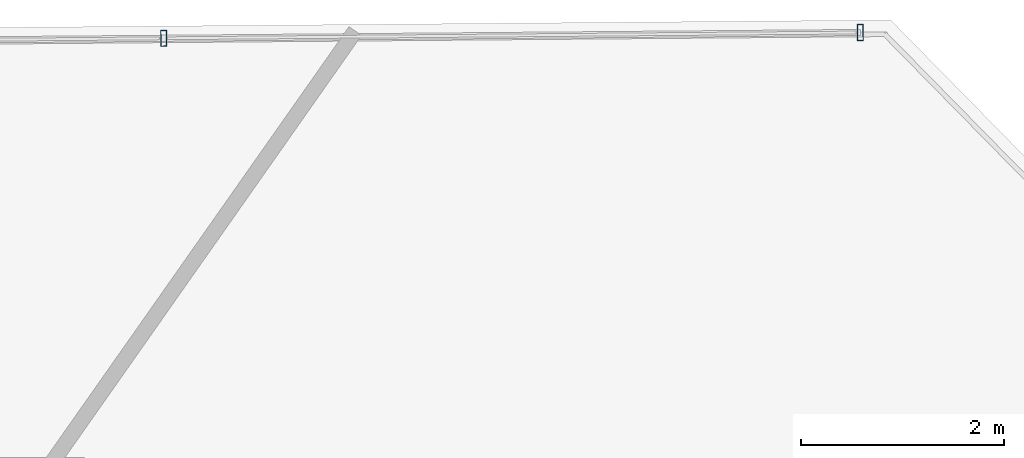
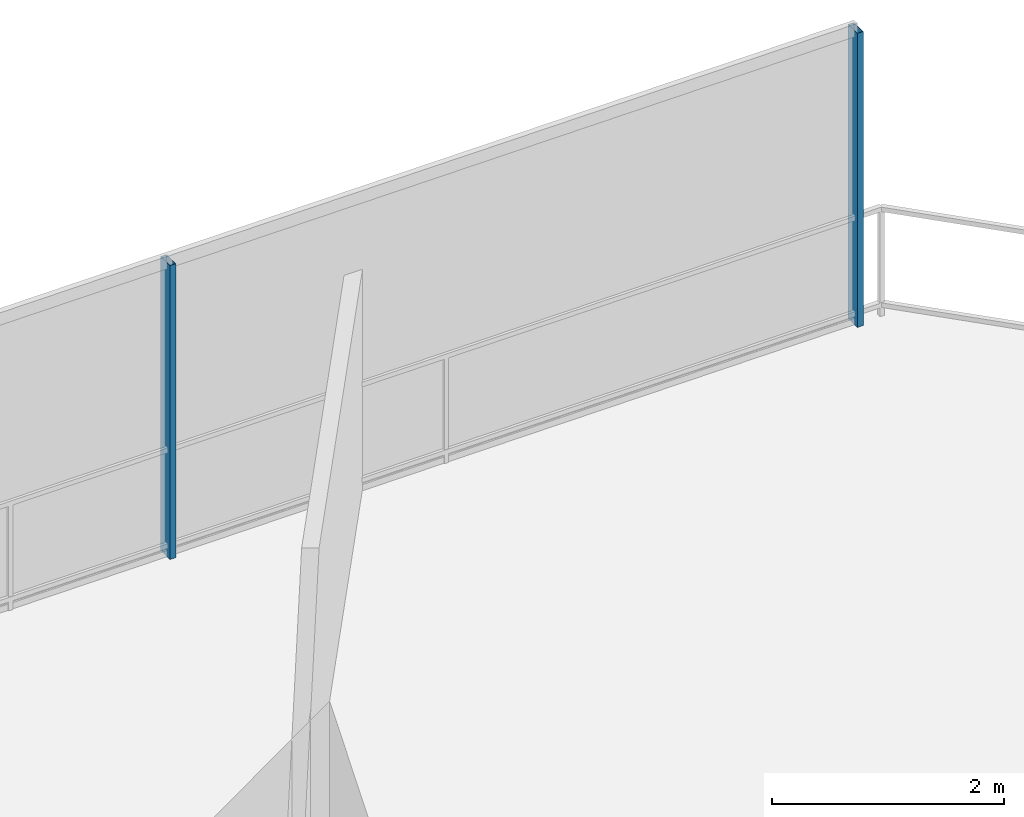
# One storey, part 23 of 31: 2 members, 1 element without a shape of its own.
"""IFC4 building model written with IfcOpenShell, lengths in metres."""

import ifcopenshell
import ifcopenshell.guid

model = None  # the IFC model being written
_history = None  # IfcOwnerHistory: only IFC2X3 demands one
_inside = {}  # id of a spatial element -> (the spatial element, [elements in it])
_under = {}  # id of a project, library or spatial element -> (it, [spatial elements below it])
_declared = {}  # id of a project -> (the project, [libraries it declares])
_typed = {}  # id of a type object -> (the type object, [elements of that type])
_made_of = {}  # id of a material, layer set ... -> (it, [elements and type objects made of it])


def new_model(schema):
    """Start an empty IFC model of exactly this schema.

    Asked for "IFC4X3", IfcOpenShell would pick the latest addendum, in which some entities
    have other attributes; the version numbers below select the first issue.
    IFC2X3 requires an IfcOwnerHistory on every rooted entity: one is made here for all.
    """
    global model, _history
    if schema == "IFC4X3":
        model = ifcopenshell.file(schema_version=(4, 3, 0, 0))
    else:
        model = ifcopenshell.file(schema=schema)
    _inside.clear()
    _under.clear()
    _declared.clear()
    _typed.clear()
    _made_of.clear()
    _history = None
    if model.schema == "IFC2X3":
        org = make("IfcOrganization", Name="unknown")
        user = make(
            "IfcPersonAndOrganization",
            ThePerson=make("IfcPerson", FamilyName="unknown"),
            TheOrganization=org,
        )
        app = make(
            "IfcApplication",
            ApplicationDeveloper=org,
            Version="unknown",
            ApplicationFullName="unknown",
            ApplicationIdentifier="unknown",
        )
        _history = make(
            "IfcOwnerHistory",
            OwningUser=user,
            OwningApplication=app,
            ChangeAction="ADDED",
            CreationDate=0,
        )
    return model


def make(cls, **values):
    """One entity of the class cls with the attributes given. An attribute that is None is left unset."""
    return model.create_entity(
        cls, **{name: value for name, value in values.items() if value is not None}
    )


def rooted(cls, **values):
    """An entity with a GlobalId (a new one), such as an element, a storey or a relation."""
    return make(cls, GlobalId=ifcopenshell.guid.new(), OwnerHistory=_history, **values)


def si_unit(unit_type, name, prefix=None):
    """IfcSIUnit, for example si_unit("LENGTHUNIT", "METRE", prefix="MILLI")."""
    return make("IfcSIUnit", UnitType=unit_type, Prefix=prefix, Name=name)


def assignment(units):
    """IfcUnitAssignment: the units of a project."""
    return None if units is None else make("IfcUnitAssignment", Units=units)


def point(xyz):
    """IfcCartesianPoint."""
    return None if xyz is None else make("IfcCartesianPoint", Coordinates=xyz)


def direction(xyz):
    """IfcDirection."""
    return None if xyz is None else make("IfcDirection", DirectionRatios=xyz)


def frame(location, z_axis=None, x_axis=None):
    """IfcAxis2Placement3D, a coordinate frame: its origin and axes. An axis left out is left unset."""
    return make(
        "IfcAxis2Placement3D",
        Location=point(location),
        Axis=direction(z_axis),
        RefDirection=direction(x_axis),
    )


def frame_2d(location, x_axis=None):
    """IfcAxis2Placement2D, a coordinate frame in the plane: its origin and x axis."""
    return make(
        "IfcAxis2Placement2D", Location=point(location), RefDirection=direction(x_axis)
    )


def origin():
    """The frame at (0, 0, 0) with its axes left unset."""
    return frame((0.0, 0.0, 0.0))


def origin_2d():
    """The frame at (0, 0) in the plane with its x axis left unset."""
    return frame_2d((0.0, 0.0))


def place(relative_to, where):
    """IfcLocalPlacement: puts the frame where relative to a parent placement (None: the world)."""
    return make(
        "IfcLocalPlacement", PlacementRelTo=relative_to, RelativePlacement=where
    )


def context(
    kind, dimensions, precision=None, world=None, true_north=None, identifier=None
):
    """IfcGeometricRepresentationContext, for example the 3D "Model" context."""
    return make(
        "IfcGeometricRepresentationContext",
        ContextIdentifier=identifier,
        ContextType=kind,
        CoordinateSpaceDimension=dimensions,
        Precision=precision,
        WorldCoordinateSystem=world,
        TrueNorth=true_north,
    )


def subcontext(parent, identifier, kind, view, scale=None):
    """IfcGeometricRepresentationSubContext, for example "Body" below "Model"."""
    return make(
        "IfcGeometricRepresentationSubContext",
        ContextIdentifier=identifier,
        ContextType=kind,
        ParentContext=parent,
        TargetScale=scale,
        TargetView=view,
    )


def project(units=None, contexts=None):
    """IfcProject with its units and contexts."""
    return rooted(
        "IfcProject",
        Name="project",
        RepresentationContexts=contexts,
        UnitsInContext=assignment(units),
    )


def spatial(cls, under=None, at=None, **own):
    """A site, building, storey or space (cls), placed at a placement, below another one or the project."""
    s = rooted(cls, ObjectPlacement=at, **own)
    if under is not None:
        _under.setdefault(under.id(), (under, []))[1].append(s)
    return s


def profile(cls, at=None, kind="AREA", **sizes):
    """A parametric profile (cls). Its sizes go by their IFC names, for example OverallWidth=200.0."""
    return make(cls, ProfileType=kind, Position=at, **sizes)


def hollow_rectangle(**sizes):
    """IfcRectangleHollowProfileDef."""
    return profile("IfcRectangleHollowProfileDef", **sizes)


def extrude(swept, where, along, depth):
    """IfcExtrudedAreaSolid: the profile swept, set in the frame where, extruded along a direction by depth."""
    return make(
        "IfcExtrudedAreaSolid",
        SweptArea=swept,
        Position=where,
        ExtrudedDirection=direction(along),
        Depth=depth,
    )


def shape(context_of_items, identifier, shape_type, items):
    """IfcShapeRepresentation: the items that make up one representation, for example the "Body"."""
    return make(
        "IfcShapeRepresentation",
        ContextOfItems=context_of_items,
        RepresentationIdentifier=identifier,
        RepresentationType=shape_type,
        Items=items,
    )


def material(Name=None, Category=None):
    """IfcMaterial."""
    return make("IfcMaterial", Name=Name, Category=Category)


def layer(
    of_material, thickness, ventilated=None, Name=None, Category=None, Priority=None
):
    """IfcMaterialLayer: one layer of a wall or slab, of a material (None: an air gap)."""
    return make(
        "IfcMaterialLayer",
        Material=of_material,
        LayerThickness=thickness,
        IsVentilated=ventilated,
        Name=Name,
        Category=Category,
        Priority=Priority,
    )


def layer_set(layers, Name=None):
    """IfcMaterialLayerSet."""
    return make("IfcMaterialLayerSet", MaterialLayers=layers, LayerSetName=Name)


def material_profile(
    of_material, cross_section, Name=None, Category=None, Priority=None
):
    """IfcMaterialProfile: a cross section and its material."""
    return make(
        "IfcMaterialProfile",
        Name=Name,
        Material=of_material,
        Profile=cross_section,
        Priority=Priority,
        Category=Category,
    )


def profile_set(profiles, Name=None, composite=None):
    """IfcMaterialProfileSet."""
    return make(
        "IfcMaterialProfileSet",
        Name=Name,
        MaterialProfiles=profiles,
        CompositeProfile=composite,
    )


def made_of(thing, what):
    """Note that an element or type object is made of a material, layer set ...; save() writes the relation."""
    if what is not None:
        _made_of.setdefault(what.id(), (what, []))[1].append(thing)
    return thing


def type_object(cls, material=None, **own):
    """A type object (cls), such as IfcWallType, which elements share."""
    return made_of(rooted(cls, **own), material)


def element(
    cls,
    number,
    at=None,
    inside=None,
    cuts=None,
    type_object=None,
    material=None,
    context=None,
    identifier="Body",
    shape_type=None,
    held_by="IfcProductDefinitionShape",
    body=None,
    shapes=None,
    **own,
):
    """One element of the class cls, such as IfcWall. Its Tag is "e" and its number.

    at: its placement. inside: the storey or other place that contains it. cuts: it is an
    opening in that element (IfcRelVoidsElement). A single representation is given by context,
    identifier, shape_type and body (its items); several are given by shapes. held_by: the class
    of the entity that holds the representations. save() writes the other relations.
    """
    e = rooted(cls, Tag="e%d" % number, ObjectPlacement=at, **own)
    if body is not None:
        shapes = [shape(context, identifier, shape_type, body)]
    if shapes is not None:
        e.Representation = make(held_by, Representations=shapes)
    if inside is not None:
        _inside.setdefault(inside.id(), (inside, []))[1].append(e)
    if cuts is not None:
        rooted(
            "IfcRelVoidsElement", RelatingBuildingElement=cuts, RelatedOpeningElement=e
        )
    if type_object is not None:
        _typed.setdefault(type_object.id(), (type_object, []))[1].append(e)
    return made_of(e, material)


def aggregate(whole, parts):
    """IfcRelAggregates: a whole, such as a stair, and the parts it consists of."""
    return rooted("IfcRelAggregates", RelatingObject=whole, RelatedObjects=parts)


def save(model, path):
    """Write the relations noted so far, then the file.

    IfcRelAggregates (storeys below a building ...), IfcRelContainedInSpatialStructure (elements
    in a storey), IfcRelDefinesByType, IfcRelAssociatesMaterial and IfcRelDeclares: one each for
    every whole, place, type object, material and project.
    """
    for whole, parts in _under.values():
        aggregate(whole, parts)
    for where, things in _inside.values():
        rooted(
            "IfcRelContainedInSpatialStructure",
            RelatedElements=things,
            RelatingStructure=where,
        )
    for kind, things in _typed.values():
        rooted("IfcRelDefinesByType", RelatedObjects=things, RelatingType=kind)
    for what, things in _made_of.values():
        rooted("IfcRelAssociatesMaterial", RelatedObjects=things, RelatingMaterial=what)
    for by, libraries in _declared.values():
        rooted("IfcRelDeclares", RelatingContext=by, RelatedDefinitions=libraries)
    model.write(path)


model = new_model("IFC4")

# Units and contexts
model_context = context("Model", 3, precision=1e-05, world=origin(), true_north=direction((0.0, 1.0)))
body_context = subcontext(model_context, "Body", "Model", "MODEL_VIEW")
ifc_project = project(units=[si_unit("LENGTHUNIT", "METRE"), si_unit("AREAUNIT", "SQUARE_METRE"), si_unit("VOLUMEUNIT", "CUBIC_METRE"), si_unit("PLANEANGLEUNIT", "RADIAN"), si_unit("MASSUNIT", "GRAM", prefix="KILO")], contexts=[model_context])

# Site, building, storey
site_placement = place(None, origin())
site = spatial("IfcSite", under=ifc_project, at=site_placement, CompositionType="ELEMENT")
building_placement = place(site_placement, origin())
building = spatial("IfcBuilding", under=site, at=building_placement, Name="Qarnah Convention Tower", CompositionType="ELEMENT")
storey_placement = place(building_placement, frame((0.0, 0.0, 68.39990234375)))
storey = spatial("IfcBuildingStorey", under=building, at=storey_placement, Name="L17", CompositionType="ELEMENT", Elevation=68.39990234375)

# Curtain wall, members
ifc_material_1 = material(Name="Tempered Low-E dark glass", Category="glass")
ifc_layer = layer(ifc_material_1, 0.16796875)
ifc_layer_set = layer_set([ifc_layer], Name="Tempered Low-E dark glass")
curtain_wall_type = type_object("IfcCurtainWallType", Name="CWS-01", PredefinedType="NOTDEFINED", material=ifc_layer_set)
curtain_wall_placement = place(storey_placement, origin())
curtain_wall = element("IfcCurtainWall", 1, at=curtain_wall_placement, inside=storey, type_object=curtain_wall_type, Name="L17 unitised curtain wall CW-L17-F2", PredefinedType="NOTDEFINED")
ifc_material_2 = material(Name="Black anodised aluminium", Category="aluminium")
ifc_material_profile = material_profile(ifc_material_2, hollow_rectangle(XDim=0.06005859375, YDim=0.159912109375, WallThickness=0.00390625, at=origin_2d()), Name="MUL-60X160")
ifc_profile_set = profile_set([ifc_material_profile], Name="Black anodised aluminium")
member_type = type_object("IfcMemberType", Name="MUL-T1", PredefinedType="MULLION", material=ifc_profile_set)
member_1_placement = place(storey_placement, frame((48.360595703125, 44.57177734375, 0.0), z_axis=(0.0, 0.0, 1.0), x_axis=(0.999965303838, 0.008330133284, 0.0)))
member_1 = element("IfcMember", 2, at=member_1_placement, type_object=member_type, Name="CW-L17-F2 mullion 5", PredefinedType="MULLION", context=body_context, shape_type="SweptSolid", body=[
    extrude(hollow_rectangle(XDim=0.06005859375, YDim=0.159912109375, WallThickness=0.00390625, at=origin_2d()), origin(), (0.0, 0.0, 1.0), 3.090087890625),
])
member_2_placement = place(storey_placement, frame((55.22705078125, 44.62890625, 0.0), z_axis=(0.0, 0.0, 1.0), x_axis=(0.999965303838, 0.008330133284, 0.0)))
member_2 = element("IfcMember", 3, at=member_2_placement, type_object=member_type, Name="CW-L17-F2 mullion 6", PredefinedType="MULLION", context=body_context, shape_type="SweptSolid", body=[
    extrude(hollow_rectangle(XDim=0.06005859375, YDim=0.159912109375, WallThickness=0.00390625, at=origin_2d()), origin(), (0.0, 0.0, 1.0), 3.090087890625),
])
aggregate(curtain_wall, [member_1, member_2])

save(model, "model.ifc")
